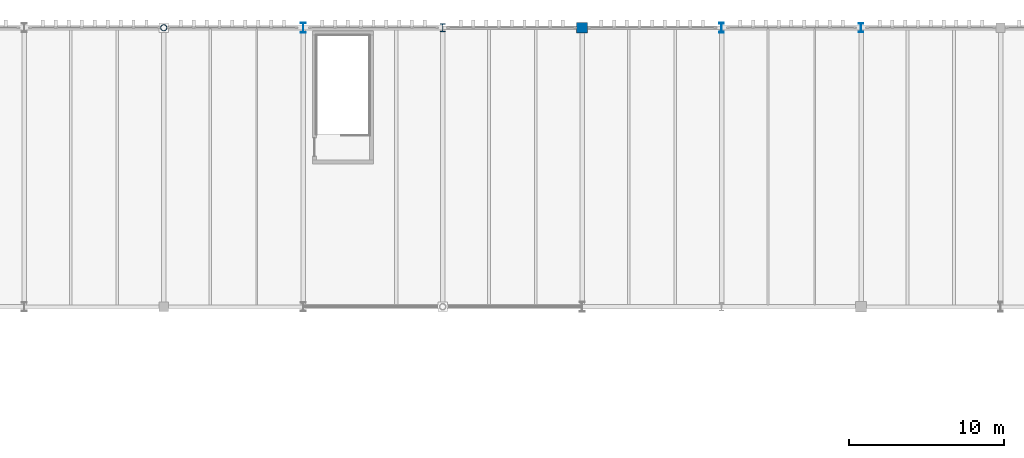
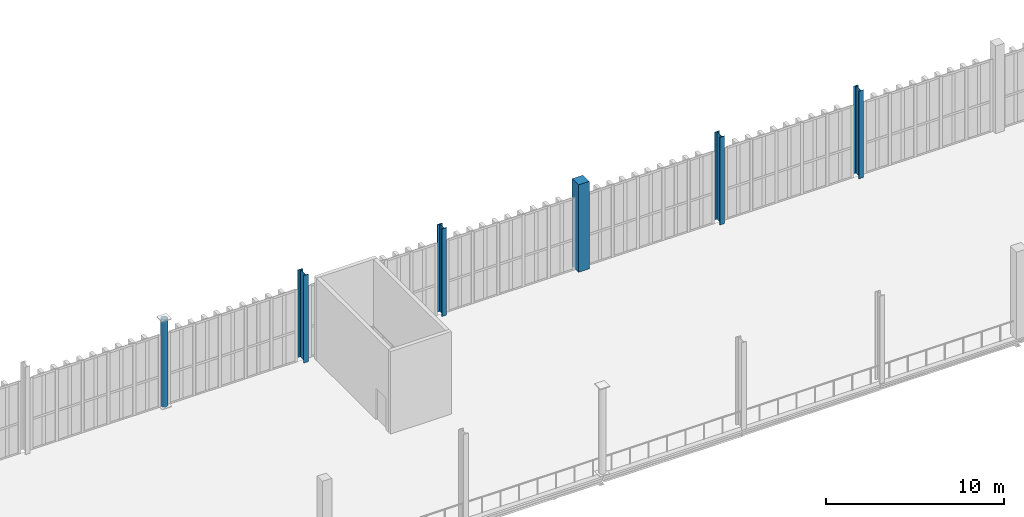
# One storey, part 23 of 211: 6 columns.
"""IFC4 building model written with IfcOpenShell, lengths in metres."""

from ifc_helpers import new_model, si_unit, direction, frame, origin, origin_2d, place, context, subcontext, project, spatial, rectangle, hollow_circle, i_section, extrude, material, material_profile, profile_set, type_object, element, save


model = new_model("IFC4")

# Units and contexts
model_context = context("Model", 3, precision=1e-05, world=origin(), true_north=direction((0.0, 1.0)))
body_context = subcontext(model_context, "Body", "Model", "MODEL_VIEW")
ifc_project = project(units=[si_unit("LENGTHUNIT", "METRE"), si_unit("AREAUNIT", "SQUARE_METRE"), si_unit("VOLUMEUNIT", "CUBIC_METRE"), si_unit("PLANEANGLEUNIT", "RADIAN"), si_unit("MASSUNIT", "GRAM", prefix="KILO")], contexts=[model_context])

# Site, building, storey
site_placement = place(None, origin())
site = spatial("IfcSite", under=ifc_project, at=site_placement, CompositionType="ELEMENT")
building_placement = place(site_placement, origin())
building = spatial("IfcBuilding", under=site, at=building_placement, Name="Barlavento Convention Centre", CompositionType="ELEMENT")
storey_placement = place(building_placement, frame((0.0, 0.0, 6.0)))
storey = spatial("IfcBuildingStorey", under=building, at=storey_placement, Name="L01", CompositionType="ELEMENT", Elevation=6.0)

# Columns
ifc_material_1 = material(Name="Steel S355", Category="steel")
ifc_material_profile_1 = material_profile(ifc_material_1, hollow_circle(Radius=0.203125, WallThickness=0.01611328125, at=origin_2d()), Name="CHS 406.4x16.0")
ifc_profile_set_1 = profile_set([ifc_material_profile_1], Name="Steel S355")
column_type_1 = type_object("IfcColumnType", Name="STR-COL-CHS406", PredefinedType="COLUMN", material=ifc_profile_set_1)
column_1_placement = place(storey_placement, frame((54.0, 135.0, 0.0), z_axis=(0.0, 0.0, 1.0), x_axis=(1.0, 0.0, 0.0)))
element("IfcColumn", 1, at=column_1_placement, inside=storey, type_object=column_type_1, Name="L01 column SC14", PredefinedType="COLUMN", context=body_context, shape_type="SweptSolid", body=[
    extrude(hollow_circle(Radius=0.203125, WallThickness=0.01611328125, at=origin_2d()), origin(), (0.0, 0.0, 1.0), 6.0),
])
ifc_material_profile_2 = material_profile(ifc_material_1, i_section(OverallWidth=0.300048828125, OverallDepth=0.60009765625, WebThickness=0.015380859375, FlangeThickness=0.030029296875, FilletRadius=0.027099609375, at=origin_2d()), Name="HEB 600")
ifc_profile_set_2 = profile_set([ifc_material_profile_2], Name="Steel S355")
column_type_2 = type_object("IfcColumnType", Name="STR-COL-HEB600", PredefinedType="COLUMN", material=ifc_profile_set_2)
column_2_placement = place(storey_placement, frame((99.0, 135.0, 0.0), z_axis=(0.0, 0.0, 1.0), x_axis=(1.0, 0.0, 0.0)))
element("IfcColumn", 2, at=column_2_placement, inside=storey, type_object=column_type_2, Name="L01 column SC08", PredefinedType="COLUMN", context=body_context, shape_type="SweptSolid", body=[
    extrude(i_section(OverallWidth=0.300048828125, OverallDepth=0.60009765625, WebThickness=0.015380859375, FlangeThickness=0.030029296875, FilletRadius=0.027099609375, at=origin_2d()), origin(), (0.0, 0.0, 1.0), 6.0),
])
ifc_material_profile_3 = material_profile(ifc_material_1, i_section(OverallWidth=0.305908203125, OverallDepth=0.52392578125, WebThickness=0.02099609375, FlangeThickness=0.0400390625, FilletRadius=0.027099609375, at=origin_2d()), Name="HEM 500")
ifc_profile_set_3 = profile_set([ifc_material_profile_3], Name="Steel S355")
column_type_3 = type_object("IfcColumnType", Name="STR-COL-HEM500", PredefinedType="COLUMN", material=ifc_profile_set_3)
column_3_placement = place(storey_placement, frame((72.0, 135.0, 0.0), z_axis=(0.0, 0.0, 1.0), x_axis=(1.0, 0.0, 0.0)))
element("IfcColumn", 3, at=column_3_placement, inside=storey, type_object=column_type_3, Name="L01 column SC07", PredefinedType="COLUMN", context=body_context, shape_type="SweptSolid", body=[
    extrude(i_section(OverallWidth=0.305908203125, OverallDepth=0.52392578125, WebThickness=0.02099609375, FlangeThickness=0.0400390625, FilletRadius=0.027099609375, at=origin_2d()), origin(), (0.0, 0.0, 1.0), 6.0),
])
ifc_material_profile_4 = material_profile(ifc_material_1, i_section(OverallWidth=0.304931640625, OverallDepth=0.6201171875, WebThickness=0.02099609375, FlangeThickness=0.0400390625, FilletRadius=0.027099609375, at=origin_2d()), Name="HEM 600")
ifc_profile_set_4 = profile_set([ifc_material_profile_4], Name="Steel S355")
column_type_4 = type_object("IfcColumnType", Name="STR-COL-HEM600", PredefinedType="COLUMN", material=ifc_profile_set_4)
column_4_placement = place(storey_placement, frame((90.0, 135.0, 0.0), z_axis=(0.0, 0.0, 1.0), x_axis=(1.0, 0.0, 0.0)))
element("IfcColumn", 4, at=column_4_placement, inside=storey, type_object=column_type_4, Name="L01 column SC05", PredefinedType="COLUMN", context=body_context, shape_type="SweptSolid", body=[
    extrude(i_section(OverallWidth=0.304931640625, OverallDepth=0.6201171875, WebThickness=0.02099609375, FlangeThickness=0.0400390625, FilletRadius=0.027099609375, at=origin_2d()), origin(), (0.0, 0.0, 1.0), 6.0),
])
ifc_material_2 = material(Name="Steel S460", Category="steel")
ifc_material_profile_5 = material_profile(ifc_material_2, i_section(OverallWidth=0.304931640625, OverallDepth=0.66796875, WebThickness=0.02099609375, FlangeThickness=0.0400390625, FilletRadius=0.027099609375, at=origin_2d()), Name="HEM 650")
ifc_profile_set_5 = profile_set([ifc_material_profile_5], Name="Steel S460")
column_type_5 = type_object("IfcColumnType", Name="STR-COL-HEM650", PredefinedType="COLUMN", material=ifc_profile_set_5)
column_5_placement = place(storey_placement, frame((63.0, 135.0, 0.0), z_axis=(0.0, 0.0, 1.0), x_axis=(1.0, 0.0, 0.0)))
element("IfcColumn", 5, at=column_5_placement, inside=storey, type_object=column_type_5, Name="L01 column SC04", PredefinedType="COLUMN", context=body_context, shape_type="SweptSolid", body=[
    extrude(i_section(OverallWidth=0.304931640625, OverallDepth=0.66796875, WebThickness=0.02099609375, FlangeThickness=0.0400390625, FilletRadius=0.027099609375, at=origin_2d()), origin(), (0.0, 0.0, 1.0), 6.0),
])
ifc_material_3 = material(Name="Concrete C40/50", Category="concrete")
ifc_material_profile_6 = material_profile(ifc_material_3, rectangle(XDim=0.699951171875, YDim=0.699951171875, at=origin_2d()), Name="RC 700x700")
ifc_profile_set_6 = profile_set([ifc_material_profile_6], Name="Concrete C40/50")
column_type_6 = type_object("IfcColumnType", Name="STR-COL-RC700", PredefinedType="COLUMN", material=ifc_profile_set_6)
column_6_placement = place(storey_placement, frame((81.0, 135.0, 0.0), z_axis=(0.0, 0.0, 1.0), x_axis=(1.0, 0.0, 0.0)))
element("IfcColumn", 6, at=column_6_placement, inside=storey, type_object=column_type_6, Name="L01 column CC06", PredefinedType="COLUMN", context=body_context, shape_type="SweptSolid", body=[
    extrude(rectangle(XDim=0.699951171875, YDim=0.699951171875, at=origin_2d()), origin(), (0.0, 0.0, 1.0), 6.0),
])

save(model, "model.ifc")
